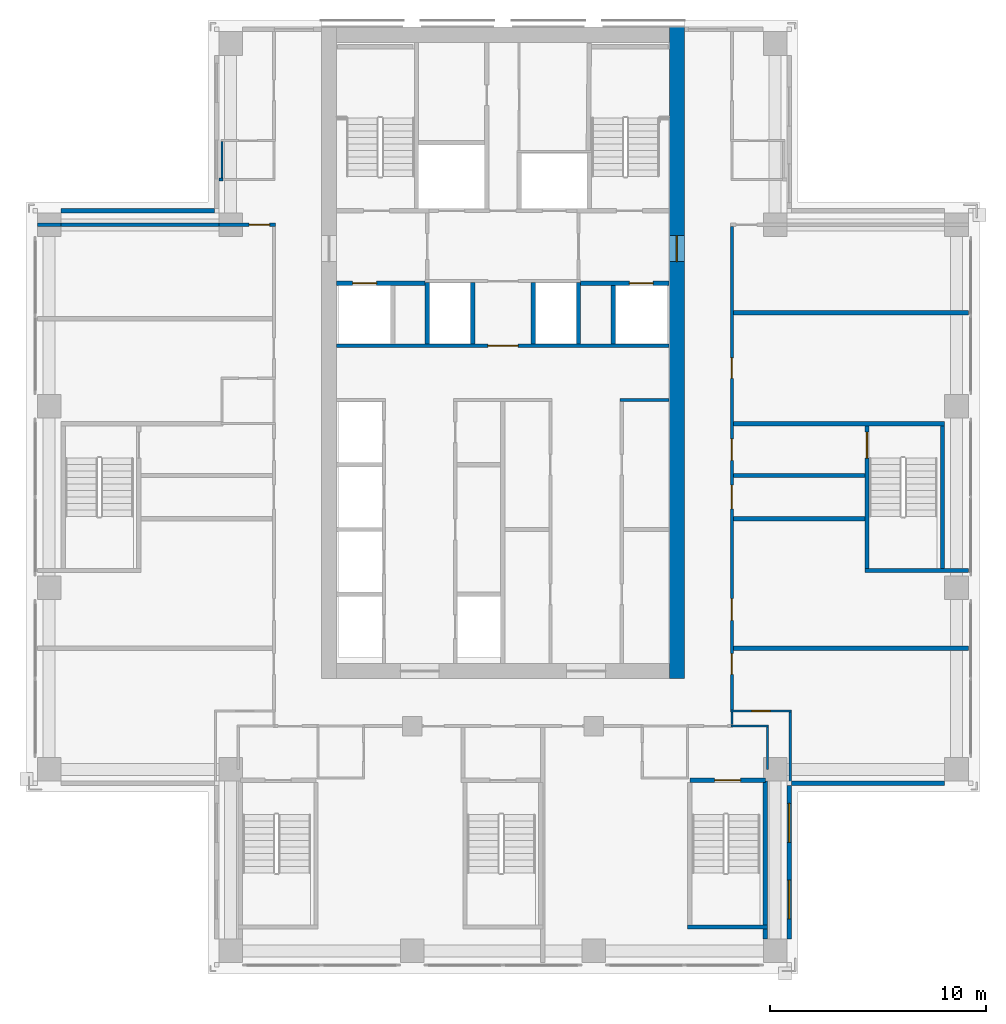
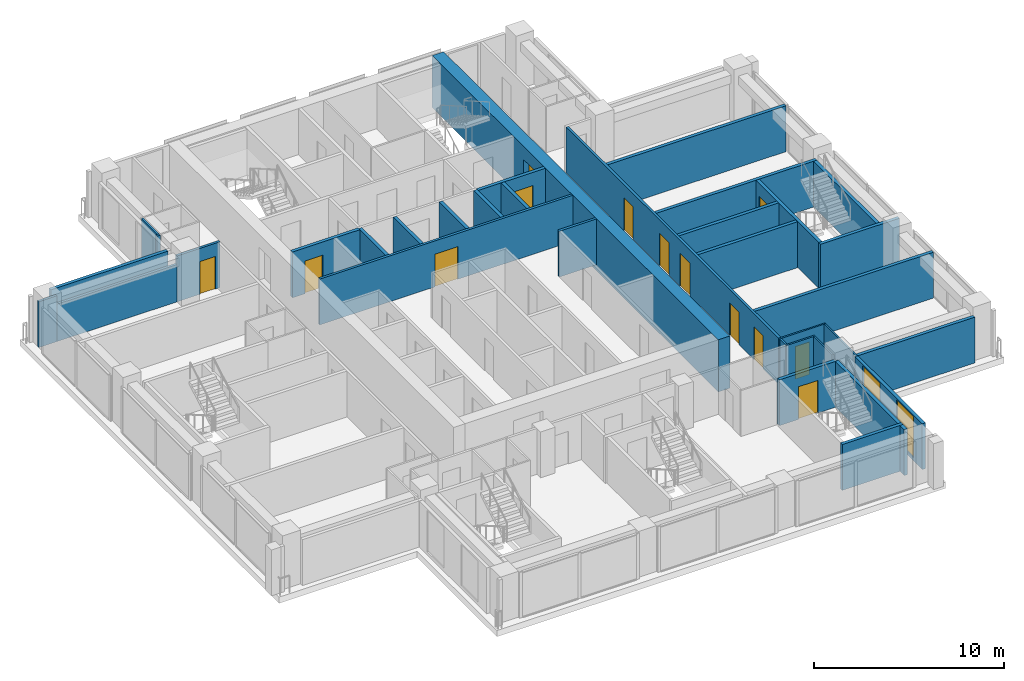
# One storey, part 11 of 16: 35 walls, 13 doors, 2 windows, 15 openings.
"""IFC4 building model written with IfcOpenShell, lengths in metres."""

from ifc_helpers import new_model, si_unit, direction, frame, frame_2d, origin, place, context, subcontext, project, spatial, rectangle, extrude, material, layer, layer_set, type_object, element, fill, save


model = new_model("IFC4")

# Units and contexts
model_context = context("Model", 3, precision=1e-05, world=origin(), true_north=direction((0.0, 1.0)))
body_context = subcontext(model_context, "Body", "Model", "MODEL_VIEW")
ifc_project = project(units=[si_unit("LENGTHUNIT", "METRE"), si_unit("AREAUNIT", "SQUARE_METRE"), si_unit("VOLUMEUNIT", "CUBIC_METRE"), si_unit("PLANEANGLEUNIT", "RADIAN"), si_unit("MASSUNIT", "GRAM", prefix="KILO")], contexts=[model_context])

# Site, building, storey
site_placement = place(None, origin())
site = spatial("IfcSite", under=ifc_project, at=site_placement, CompositionType="ELEMENT")
building_placement = place(site_placement, origin())
building = spatial("IfcBuilding", under=site, at=building_placement, Name="Vermilion Ogive Tower", CompositionType="ELEMENT")
storey_placement = place(building_placement, frame((0.0, 0.0, 167.60009765625)))
storey = spatial("IfcBuildingStorey", under=building, at=storey_placement, Name="L43", CompositionType="ELEMENT", Elevation=167.60009765625)

# Wall
ifc_material_1 = material(Name="Gypsum board partition on steel studs", Category="steel")
ifc_layer_1 = layer(ifc_material_1, 0.10009765625)
ifc_layer_set_1 = layer_set([ifc_layer_1], Name="Partition 100 bath")
wall_type_1 = type_object("IfcWallType", Name="Partition 100 bath", PredefinedType="PARTITIONING", material=ifc_layer_set_1)
wall_1_placement = place(storey_placement, frame((10.550048828125, -10.60009765625, 0.0), z_axis=(0.0, 0.0, 1.0), x_axis=(1.0, 0.0, 0.0)))
element("IfcWall", 1, at=wall_1_placement, inside=storey, type_object=wall_type_1, Name="L43-W-W013", PredefinedType="PARTITIONING", context=body_context, shape_type="SweptSolid", body=[
    extrude(rectangle(XDim=1.75, YDim=0.10009765625, at=frame_2d((0.875, 0.0))), origin(), (0.0, 0.0, 1.0), 2.949951171875),
])

# Wall, opening, door
wall_2_placement = place(storey_placement, frame((10.52490234375, -9.89990234375, 0.0), z_axis=(0.0, 0.0, 1.0), x_axis=(1.0, 0.0, 0.0)))
wall_2 = element("IfcWall", 2, at=wall_2_placement, inside=storey, type_object=wall_type_1, Name="L43-W-W015", PredefinedType="PARTITIONING", context=body_context, shape_type="SweptSolid", body=[
    extrude(rectangle(XDim=2.8251953125, YDim=0.10009765625, at=frame_2d((1.41259765625, 0.0))), origin(), (0.0, 0.0, 1.0), 2.949951171875),
])
opening_1_placement = place(wall_2_placement, frame((1.0, 0.0, 0.0)))
opening_1 = element("IfcOpeningElement", 3, at=opening_1_placement, cuts=wall_2, Name="Opening D3G5013", PredefinedType="OPENING", context=body_context, shape_type="SweptSolid", body=[
    extrude(rectangle(XDim=0.85009765625, YDim=2.10009765625, at=frame_2d((0.425048828125, 1.050048828125))), frame((0.0, 0.06005859375, 0.0), z_axis=(0.0, -1.0, 0.0), x_axis=(1.0, 0.0, 0.0)), (0.0, 0.0, 1.0), 0.1201171875),
])
ifc_material_2 = material(Name="Timber door leaf", Category="wood")
door_type_1 = type_object("IfcDoorType", Name="Bath door 850 x 2100 FD30", OperationType="SINGLE_SWING_LEFT", PredefinedType="DOOR", material=ifc_material_2)
door_1_placement = place(opening_1_placement, origin())
door_1 = element("IfcDoor", 4, at=door_1_placement, inside=storey, type_object=door_type_1, Name="L43-D-D013", OperationType="SINGLE_SWING_RIGHT", OverallHeight=2.10009765625, OverallWidth=0.85009765625, PredefinedType="DOOR", context=body_context, shape_type="SweptSolid", body=[
    extrude(rectangle(XDim=0.85009765625, YDim=2.10009765625, at=frame_2d((0.425048828125, 1.050048828125))), frame((0.0, 0.02490234375, 0.0), z_axis=(0.0, -1.0, 0.0), x_axis=(1.0, 0.0, 0.0)), (0.0, 0.0, 1.0), 0.050048828125),
])
fill(opening_1, door_1)

# Walls
wall_3_placement = place(storey_placement, frame((-13.0, 14.77490234375, 0.0), z_axis=(0.0, 0.0, 1.0), x_axis=(0.0, 1.0, 0.0)))
element("IfcWall", 5, at=wall_3_placement, inside=storey, type_object=wall_type_1, Name="L43-W-W042", PredefinedType="PARTITIONING", context=body_context, shape_type="SweptSolid", body=[
    extrude(rectangle(XDim=1.675048828125, YDim=0.10009765625, at=frame_2d((0.83740234375, 0.0))), origin(), (0.0, 0.0, 1.0), 2.949951171875),
])
wall_4_placement = place(storey_placement, frame((10.60009765625, -10.52490234375, 0.0), z_axis=(0.0, 0.0, 1.0), x_axis=(0.0, 1.0, 0.0)))
element("IfcWall", 6, at=wall_4_placement, inside=storey, type_object=wall_type_1, Name="L43-W-W058", PredefinedType="PARTITIONING", context=body_context, shape_type="SweptSolid", body=[
    extrude(rectangle(XDim=0.574951171875, YDim=0.10009765625, at=frame_2d((0.28759765625, 0.0))), origin(), (0.0, 0.0, 1.0), 2.949951171875),
])
wall_5_placement = place(storey_placement, frame((12.25, -12.60009765625, 0.0), z_axis=(0.0, 0.0, 1.0), x_axis=(0.0, 1.0, 0.0)))
element("IfcWall", 7, at=wall_5_placement, inside=storey, type_object=wall_type_1, Name="L43-W-W062", PredefinedType="PARTITIONING", context=body_context, shape_type="SweptSolid", body=[
    extrude(rectangle(XDim=1.9501953125, YDim=0.10009765625, at=frame_2d((0.97509765625, 0.0))), origin(), (0.0, 0.0, 1.0), 2.949951171875),
])
wall_6_placement = place(storey_placement, frame((13.300048828125, -13.35009765625, 0.0), z_axis=(0.0, 0.0, 1.0), x_axis=(0.0, 1.0, 0.0)))
element("IfcWall", 8, at=wall_6_placement, inside=storey, type_object=wall_type_1, Name="L43-W-W064", PredefinedType="PARTITIONING", context=body_context, shape_type="SweptSolid", body=[
    extrude(rectangle(XDim=3.400146484375, YDim=0.10009765625, at=frame_2d((1.7001953125, 0.0))), origin(), (0.0, 0.0, 1.0), 2.949951171875),
])
ifc_material_3 = material(Name="Gypsum board partition on steel studs", Category="steel")
ifc_layer_2 = layer(ifc_material_3, 0.14990234375)
ifc_layer_set_2 = layer_set([ifc_layer_2], Name="Partition 150 corridor")
wall_type_2 = type_object("IfcWallType", Name="Partition 150 corridor", PredefinedType="PARTITIONING", material=ifc_layer_set_2)
wall_7_placement = place(storey_placement, frame((-21.550048828125, 12.60009765625, 0.0), z_axis=(0.0, 0.0, 1.0), x_axis=(1.0, 0.0, 0.0)))
element("IfcWall", 9, at=wall_7_placement, inside=storey, type_object=wall_type_2, Name="L43-W-W030", PredefinedType="PARTITIONING", context=body_context, shape_type="SweptSolid", body=[
    extrude(rectangle(XDim=1.10009765625, YDim=0.14990234375, at=frame_2d((0.550048828125, 0.0))), origin(), (0.0, 0.0, 1.0), 2.949951171875),
])
wall_8_placement = place(storey_placement, frame((-13.14990234375, 14.699951171875, 0.0), z_axis=(0.0, 0.0, 1.0), x_axis=(1.0, 0.0, 0.0)))
element("IfcWall", 10, at=wall_8_placement, inside=storey, type_object=wall_type_2, Name="L43-W-W032", PredefinedType="PARTITIONING", context=body_context, shape_type="SweptSolid", body=[
    extrude(rectangle(XDim=0.199951171875, YDim=0.14990234375, at=frame_2d((0.10009765625, 0.0))), origin(), (0.0, 0.0, 1.0), 2.949951171875),
])

# Wall, openings, doors
wall_9_placement = place(storey_placement, frame((10.60009765625, -9.85009765625, 0.0), z_axis=(0.0, 0.0, 1.0), x_axis=(0.0, 1.0, 0.0)))
wall_9 = element("IfcWall", 11, at=wall_9_placement, inside=storey, type_object=wall_type_2, Name="L43-W-W059", PredefinedType="PARTITIONING", context=body_context, shape_type="SweptSolid", body=[
    extrude(rectangle(XDim=22.375, YDim=0.14990234375, at=frame_2d((11.1875, 0.0))), origin(), (0.0, 0.0, 1.0), 2.949951171875),
])
opening_2_placement = place(wall_9_placement, frame((1.650146484375, 0.0, 0.0)))
opening_2 = element("IfcOpeningElement", 12, at=opening_2_placement, cuts=wall_9, Name="Opening D3G5012", PredefinedType="OPENING", context=body_context, shape_type="SweptSolid", body=[
    extrude(rectangle(XDim=0.949951171875, YDim=2.10009765625, at=frame_2d((0.47509765625, 1.050048828125))), frame((0.0, 0.0849609375, 0.0), z_axis=(0.0, -1.0, 0.0), x_axis=(1.0, 0.0, 0.0)), (0.0, 0.0, 1.0), 0.169921875),
])
opening_3_placement = place(wall_9_placement, frame((15.340087890625, 0.0, 0.0)))
opening_3 = element("IfcOpeningElement", 13, at=opening_3_placement, cuts=wall_9, Name="Opening D3G5014", PredefinedType="OPENING", context=body_context, shape_type="SweptSolid", body=[
    extrude(rectangle(XDim=0.949951171875, YDim=2.10009765625, at=frame_2d((0.47509765625, 1.050048828125))), frame((0.0, 0.0849609375, 0.0), z_axis=(0.0, -1.0, 0.0), x_axis=(1.0, 0.0, 0.0)), (0.0, 0.0, 1.0), 0.169921875),
])
opening_4_placement = place(wall_9_placement, frame((9.300048828125, 0.0, 0.0)))
opening_4 = element("IfcOpeningElement", 14, at=opening_4_placement, cuts=wall_9, Name="Opening D3G5024", PredefinedType="OPENING", context=body_context, shape_type="SweptSolid", body=[
    extrude(rectangle(XDim=1.10009765625, YDim=2.10009765625, at=frame_2d((0.550048828125, 1.050048828125))), frame((0.0, 0.0849609375, 0.0), z_axis=(0.0, -1.0, 0.0), x_axis=(1.0, 0.0, 0.0)), (0.0, 0.0, 1.0), 0.169921875),
])
opening_5_placement = place(wall_9_placement, frame((4.150146484375, 0.0, 0.0)))
opening_5 = element("IfcOpeningElement", 15, at=opening_5_placement, cuts=wall_9, Name="Opening D3G5029", PredefinedType="OPENING", context=body_context, shape_type="SweptSolid", body=[
    extrude(rectangle(XDim=1.0, YDim=2.10009765625, at=frame_2d((0.5, 1.050048828125))), frame((0.0, 0.0849609375, 0.0), z_axis=(0.0, -1.0, 0.0), x_axis=(1.0, 0.0, 0.0)), (0.0, 0.0, 1.0), 0.169921875),
])
opening_6_placement = place(wall_9_placement, frame((11.550048828125, 0.0, 0.0)))
opening_6 = element("IfcOpeningElement", 16, at=opening_6_placement, cuts=wall_9, Name="Opening D3G5031", PredefinedType="OPENING", context=body_context, shape_type="SweptSolid", body=[
    extrude(rectangle(XDim=1.0, YDim=2.10009765625, at=frame_2d((0.5, 1.050048828125))), frame((0.0, 0.0849609375, 0.0), z_axis=(0.0, -1.0, 0.0), x_axis=(1.0, 0.0, 0.0)), (0.0, 0.0, 1.0), 0.169921875),
])
ifc_material_4 = material(Name="Timber door leaf", Category="wood")
door_type_2 = type_object("IfcDoorType", Name="Stair door 1100 x 2100 FD60S", OperationType="SINGLE_SWING_LEFT", PredefinedType="DOOR", material=ifc_material_4)
door_2_placement = place(opening_4_placement, origin())
door_2 = element("IfcDoor", 17, at=door_2_placement, inside=storey, type_object=door_type_2, Name="L43-D-D024", OperationType="SINGLE_SWING_LEFT", OverallHeight=2.10009765625, OverallWidth=1.10009765625, PredefinedType="DOOR", context=body_context, shape_type="SweptSolid", body=[
    extrude(rectangle(XDim=1.10009765625, YDim=2.10009765625, at=frame_2d((0.550048828125, 1.050048828125))), frame((0.0, 0.02490234375, 0.0), z_axis=(0.0, -1.0, 0.0), x_axis=(1.0, 0.0, 0.0)), (0.0, 0.0, 1.0), 0.050048828125),
])
fill(opening_4, door_2)
ifc_material_5 = material(Name="Timber door leaf", Category="wood")
door_type_3 = type_object("IfcDoorType", Name="Unit door 1000 x 2100 FD30S", OperationType="SINGLE_SWING_LEFT", PredefinedType="DOOR", material=ifc_material_5)
door_3_placement = place(opening_5_placement, origin())
door_3 = element("IfcDoor", 18, at=door_3_placement, inside=storey, type_object=door_type_3, Name="L43-D-D029", OperationType="SINGLE_SWING_RIGHT", OverallHeight=2.10009765625, OverallWidth=1.0, PredefinedType="DOOR", context=body_context, shape_type="SweptSolid", body=[
    extrude(rectangle(XDim=1.0, YDim=2.10009765625, at=frame_2d((0.5, 1.050048828125))), frame((0.0, 0.02490234375, 0.0), z_axis=(0.0, -1.0, 0.0), x_axis=(1.0, 0.0, 0.0)), (0.0, 0.0, 1.0), 0.050048828125),
])
fill(opening_5, door_3)
door_4_placement = place(opening_6_placement, origin())
door_4 = element("IfcDoor", 19, at=door_4_placement, inside=storey, type_object=door_type_3, Name="L43-D-D031", OperationType="SINGLE_SWING_LEFT", OverallHeight=2.10009765625, OverallWidth=1.0, PredefinedType="DOOR", context=body_context, shape_type="SweptSolid", body=[
    extrude(rectangle(XDim=1.0, YDim=2.10009765625, at=frame_2d((0.5, 1.050048828125))), frame((0.0, 0.02490234375, 0.0), z_axis=(0.0, -1.0, 0.0), x_axis=(1.0, 0.0, 0.0)), (0.0, 0.0, 1.0), 0.050048828125),
])
fill(opening_6, door_4)
ifc_material_6 = material(Name="Timber door leaf", Category="wood")
door_type_4 = type_object("IfcDoorType", Name="Unit door 950 x 2100 FD30S", OperationType="SINGLE_SWING_LEFT", PredefinedType="DOOR", material=ifc_material_6)
door_5_placement = place(opening_2_placement, origin())
door_5 = element("IfcDoor", 20, at=door_5_placement, inside=storey, type_object=door_type_4, Name="L43-D-D012", OperationType="SINGLE_SWING_LEFT", OverallHeight=2.10009765625, OverallWidth=0.949951171875, PredefinedType="DOOR", context=body_context, shape_type="SweptSolid", body=[
    extrude(rectangle(XDim=0.949951171875, YDim=2.10009765625, at=frame_2d((0.47509765625, 1.050048828125))), frame((0.0, 0.02490234375, 0.0), z_axis=(0.0, -1.0, 0.0), x_axis=(1.0, 0.0, 0.0)), (0.0, 0.0, 1.0), 0.050048828125),
])
fill(opening_2, door_5)
door_6_placement = place(opening_3_placement, origin())
door_6 = element("IfcDoor", 21, at=door_6_placement, inside=storey, type_object=door_type_4, Name="L43-D-D014", OperationType="SINGLE_SWING_LEFT", OverallHeight=2.10009765625, OverallWidth=0.949951171875, PredefinedType="DOOR", context=body_context, shape_type="SweptSolid", body=[
    extrude(rectangle(XDim=0.949951171875, YDim=2.10009765625, at=frame_2d((0.47509765625, 1.050048828125))), frame((0.0, 0.02490234375, 0.0), z_axis=(0.0, -1.0, 0.0), x_axis=(1.0, 0.0, 0.0)), (0.0, 0.0, 1.0), 0.050048828125),
])
fill(opening_3, door_6)

# Wall
wall_10_placement = place(storey_placement, frame((5.425048828125, 4.5, 0.0), z_axis=(0.0, 0.0, 1.0), x_axis=(1.0, 0.0, 0.0)))
element("IfcWall", 22, at=wall_10_placement, inside=storey, type_object=wall_type_2, Name="L43-CK-W-W010", PredefinedType="PARTITIONING", context=body_context, shape_type="SweptSolid", body=[
    extrude(rectangle(XDim=2.27392578125, YDim=0.14990234375, at=frame_2d((1.136962890625, 0.0))), origin(), (0.0, 0.0, 1.0), 2.949951171875),
])

# Wall, opening, door
wall_11_placement = place(storey_placement, frame((-7.698974609375, 7.0, 0.0), z_axis=(0.0, 0.0, 1.0), x_axis=(1.0, 0.0, 0.0)))
wall_11 = element("IfcWall", 23, at=wall_11_placement, inside=storey, type_object=wall_type_2, Name="L43-CK-W-W011", PredefinedType="PARTITIONING", context=body_context, shape_type="SweptSolid", body=[
    extrude(rectangle(XDim=15.39794921875, YDim=0.14990234375, at=frame_2d((7.698974609375, 0.0))), origin(), (0.0, 0.0, 1.0), 2.949951171875),
])
opening_7_placement = place(wall_11_placement, frame((6.9990234375, 0.0, 0.0)))
opening_7 = element("IfcOpeningElement", 24, at=opening_7_placement, cuts=wall_11, Name="Opening DAA373", PredefinedType="OPENING", context=body_context, shape_type="SweptSolid", body=[
    extrude(rectangle(XDim=1.39990234375, YDim=2.10009765625, at=frame_2d((0.699951171875, 1.050048828125))), frame((0.0, 0.0849609375, 0.0), z_axis=(0.0, -1.0, 0.0), x_axis=(1.0, 0.0, 0.0)), (0.0, 0.0, 1.0), 0.169921875),
])
ifc_material_7 = material(Name="Timber door leaf", Category="wood")
door_type_5 = type_object("IfcDoorType", Name="Lobby door 1400 x 2100 FD60S", OperationType="SINGLE_SWING_LEFT", PredefinedType="DOOR", material=ifc_material_7)
door_7_placement = place(opening_7_placement, origin())
door_7 = element("IfcDoor", 25, at=door_7_placement, inside=storey, type_object=door_type_5, Name="L43-CK-D-D016", OperationType="SINGLE_SWING_RIGHT", OverallHeight=2.10009765625, OverallWidth=1.39990234375, PredefinedType="DOOR", context=body_context, shape_type="SweptSolid", body=[
    extrude(rectangle(XDim=1.39990234375, YDim=2.10009765625, at=frame_2d((0.699951171875, 1.050048828125))), frame((0.0, 0.02490234375, 0.0), z_axis=(0.0, -1.0, 0.0), x_axis=(1.0, 0.0, 0.0)), (0.0, 0.0, 1.0), 0.050048828125),
])
fill(opening_7, door_7)

# Wall
wall_12_placement = place(storey_placement, frame((-20.449951171875, 12.60009765625, 0.0), z_axis=(0.0, 0.0, 1.0), x_axis=(1.0, 0.0, 0.0)))
element("IfcWall", 26, at=wall_12_placement, inside=storey, type_object=wall_type_2, Name="L43-W-W030-h1", PredefinedType="PARTITIONING", context=body_context, shape_type="SweptSolid", body=[
    extrude(rectangle(XDim=7.300048828125, YDim=0.14990234375, at=frame_2d((3.64990234375, 0.0))), origin(), (0.0, 0.0, 1.0), 2.39990234375),
])

# Wall, opening, door
wall_13_placement = place(storey_placement, frame((-13.14990234375, 12.60009765625, 0.0), z_axis=(0.0, 0.0, 1.0), x_axis=(1.0, 0.0, 0.0)))
wall_13 = element("IfcWall", 27, at=wall_13_placement, inside=storey, type_object=wall_type_2, Name="L43-W-W030-h2", PredefinedType="PARTITIONING", context=body_context, shape_type="SweptSolid", body=[
    extrude(rectangle(XDim=2.625, YDim=0.14990234375, at=frame_2d((1.3125, 0.0))), origin(), (0.0, 0.0, 1.0), 2.949951171875),
])
opening_8_placement = place(wall_13_placement, frame((1.39990234375, 0.0, 0.0)))
opening_8 = element("IfcOpeningElement", 28, at=opening_8_placement, cuts=wall_13, Name="Opening D3G5005", PredefinedType="OPENING", context=body_context, shape_type="SweptSolid", body=[
    extrude(rectangle(XDim=0.949951171875, YDim=2.10009765625, at=frame_2d((0.47509765625, 1.050048828125))), frame((0.0, 0.0849609375, 0.0), z_axis=(0.0, -1.0, 0.0), x_axis=(1.0, 0.0, 0.0)), (0.0, 0.0, 1.0), 0.169921875),
])
door_8_placement = place(opening_8_placement, origin())
door_8 = element("IfcDoor", 29, at=door_8_placement, inside=storey, type_object=door_type_4, Name="L43-D-D005", OperationType="SINGLE_SWING_RIGHT", OverallHeight=2.10009765625, OverallWidth=0.949951171875, PredefinedType="DOOR", context=body_context, shape_type="SweptSolid", body=[
    extrude(rectangle(XDim=0.949951171875, YDim=2.10009765625, at=frame_2d((0.47509765625, 1.050048828125))), frame((0.0, 0.02490234375, 0.0), z_axis=(0.0, -1.0, 0.0), x_axis=(1.0, 0.0, 0.0)), (0.0, 0.0, 1.0), 0.050048828125),
])
fill(opening_8, door_8)

# Walls
ifc_material_8 = material(Name="Gypsum board partition on steel studs", Category="steel")
ifc_layer_3 = layer(ifc_material_8, 0.199951171875)
ifc_layer_set_3 = layer_set([ifc_layer_3], Name="Partition 200 party")
wall_type_3 = type_object("IfcWallType", Name="Partition 200 party", PredefinedType="PARTITIONING", material=ifc_layer_set_3)
wall_14_placement = place(storey_placement, frame((10.675048828125, -7.0, 0.0), z_axis=(0.0, 0.0, 1.0), x_axis=(1.0, 0.0, 0.0)))
element("IfcWall", 30, at=wall_14_placement, inside=storey, type_object=wall_type_3, Name="L43-W-W017", PredefinedType="PARTITIONING", context=body_context, shape_type="SweptSolid", body=[
    extrude(rectangle(XDim=10.875, YDim=0.199951171875, at=frame_2d((5.4375, 0.0))), origin(), (0.0, 0.0, 1.0), 2.949951171875),
])
wall_15_placement = place(storey_placement, frame((10.677001953125, -1.0, 0.0), z_axis=(0.0, 0.0, 1.0), x_axis=(1.0, 0.0, 0.0)))
element("IfcWall", 31, at=wall_15_placement, inside=storey, type_object=wall_type_3, Name="L43-W-W021", PredefinedType="PARTITIONING", context=body_context, shape_type="SweptSolid", body=[
    extrude(rectangle(XDim=6.071044921875, YDim=0.199951171875, at=frame_2d((3.03564453125, 0.0))), origin(), (0.0, 0.0, 1.0), 2.949951171875),
])
wall_16_placement = place(storey_placement, frame((10.675048828125, 1.0, 0.0), z_axis=(0.0, 0.0, 1.0), x_axis=(1.0, 0.0, 0.0)))
element("IfcWall", 32, at=wall_16_placement, inside=storey, type_object=wall_type_3, Name="L43-W-W023", PredefinedType="PARTITIONING", context=body_context, shape_type="SweptSolid", body=[
    extrude(rectangle(XDim=6.074951171875, YDim=0.199951171875, at=frame_2d((3.03759765625, 0.0))), origin(), (0.0, 0.0, 1.0), 2.949951171875),
])
wall_17_placement = place(storey_placement, frame((10.675048828125, 8.530029296875, 0.0), z_axis=(0.0, 0.0, 1.0), x_axis=(1.0, 0.0, 0.0)))
element("IfcWall", 33, at=wall_17_placement, inside=storey, type_object=wall_type_3, Name="L43-W-W029", PredefinedType="PARTITIONING", context=body_context, shape_type="SweptSolid", body=[
    extrude(rectangle(XDim=10.875, YDim=0.199951171875, at=frame_2d((5.4375, 0.0))), origin(), (0.0, 0.0, 1.0), 2.949951171875),
])

# Wall, opening, door
wall_18_placement = place(storey_placement, frame((-7.698974609375, 9.89990234375, 0.0), z_axis=(0.0, 0.0, 1.0), x_axis=(1.0, 0.0, 0.0)))
wall_18 = element("IfcWall", 34, at=wall_18_placement, inside=storey, type_object=wall_type_3, Name="L43-CK-W-W012", PredefinedType="PARTITIONING", context=body_context, shape_type="SweptSolid", body=[
    extrude(rectangle(XDim=4.098876953125, YDim=0.199951171875, at=frame_2d((2.04931640625, 0.0))), origin(), (0.0, 0.0, 1.0), 2.949951171875),
])
opening_9_placement = place(wall_18_placement, frame((0.7490234375, 0.0, 0.0)))
opening_9 = element("IfcOpeningElement", 35, at=opening_9_placement, cuts=wall_18, Name="Opening DAA391", PredefinedType="OPENING", context=body_context, shape_type="SweptSolid", body=[
    extrude(rectangle(XDim=1.10009765625, YDim=2.10009765625, at=frame_2d((0.550048828125, 1.050048828125))), frame((0.0, 0.10986328125, 0.0), z_axis=(0.0, -1.0, 0.0), x_axis=(1.0, 0.0, 0.0)), (0.0, 0.0, 1.0), 0.219970703125),
])
ifc_material_9 = material(Name="Stainless steel", Category="steel")
door_type_6 = type_object("IfcDoorType", Name="Lift landing door 1100 x 2100", OperationType="SLIDING_TO_LEFT", PredefinedType="DOOR", material=ifc_material_9)
door_9_placement = place(opening_9_placement, origin())
door_9 = element("IfcDoor", 36, at=door_9_placement, inside=storey, type_object=door_type_6, Name="L43-CK-D-D013", OperationType="SLIDING_TO_RIGHT", OverallHeight=2.10009765625, OverallWidth=1.10009765625, PredefinedType="DOOR", context=body_context, shape_type="SweptSolid", body=[
    extrude(rectangle(XDim=1.10009765625, YDim=2.10009765625, at=frame_2d((0.550048828125, 1.050048828125))), frame((0.0, 0.02490234375, 0.0), z_axis=(0.0, -1.0, 0.0), x_axis=(1.0, 0.0, 0.0)), (0.0, 0.0, 1.0), 0.050048828125),
])
fill(opening_9, door_9)

wall_19_placement = place(storey_placement, frame((3.60009765625, 9.89990234375, 0.0), z_axis=(0.0, 0.0, 1.0), x_axis=(1.0, 0.0, 0.0)))
wall_19 = element("IfcWall", 37, at=wall_19_placement, inside=storey, type_object=wall_type_3, Name="L43-CK-W-W013", PredefinedType="PARTITIONING", context=body_context, shape_type="SweptSolid", body=[
    extrude(rectangle(XDim=4.098876953125, YDim=0.199951171875, at=frame_2d((2.04931640625, 0.0))), origin(), (0.0, 0.0, 1.0), 2.949951171875),
])
opening_10_placement = place(wall_19_placement, frame((2.25, 0.0, 0.0)))
opening_10 = element("IfcOpeningElement", 38, at=opening_10_placement, cuts=wall_19, Name="Opening DAA392", PredefinedType="OPENING", context=body_context, shape_type="SweptSolid", body=[
    extrude(rectangle(XDim=1.10009765625, YDim=2.10009765625, at=frame_2d((0.550048828125, 1.050048828125))), frame((0.0, 0.10986328125, 0.0), z_axis=(0.0, -1.0, 0.0), x_axis=(1.0, 0.0, 0.0)), (0.0, 0.0, 1.0), 0.219970703125),
])
door_10_placement = place(opening_10_placement, origin())
door_10 = element("IfcDoor", 39, at=door_10_placement, inside=storey, type_object=door_type_6, Name="L43-CK-D-D015", OperationType="SLIDING_TO_LEFT", OverallHeight=2.10009765625, OverallWidth=1.10009765625, PredefinedType="DOOR", context=body_context, shape_type="SweptSolid", body=[
    extrude(rectangle(XDim=1.10009765625, YDim=2.10009765625, at=frame_2d((0.550048828125, 1.050048828125))), frame((0.0, 0.02490234375, 0.0), z_axis=(0.0, -1.0, 0.0), x_axis=(1.0, 0.0, 0.0)), (0.0, 0.0, 1.0), 0.050048828125),
])
fill(opening_10, door_10)

# Walls
for number, where, z_axis, x_axis, name in (
    (40, (-3.5, 7.074951171875, 0.0), (0.0, 0.0, 1.0), (0.0, 1.0, 0.0), "L43-CK-W-W023"),
    (41, (-1.39990234375, 7.074951171875, 0.0), (0.0, 0.0, 1.0), (0.0, 1.0, 0.0), "L43-CK-W-W026"),
    (42, (1.39990234375, 7.074951171875, 0.0), (0.0, 0.0, 1.0), (0.0, 1.0, 0.0), "L43-CK-W-W031"),
    (43, (3.5, 7.074951171875, 0.0), (0.0, 0.0, 1.0), (0.0, 1.0, 0.0), "L43-CK-W-W033"),
):
    element("IfcWall", number, at=place(storey_placement, frame(where, z_axis=z_axis, x_axis=x_axis)), inside=storey, type_object=wall_type_3, Name=name, PredefinedType="PARTITIONING", context=body_context, shape_type="SweptSolid", body=[
        extrude(rectangle(XDim=2.85009765625, YDim=0.199951171875, at=frame_2d((1.425048828125, 0.0))), origin(), (0.0, 0.0, 1.0), 2.949951171875),
    ])
wall_20_placement = place(storey_placement, frame((5.10009765625, 7.074951171875, 0.0), z_axis=(0.0, 0.0, 1.0), x_axis=(0.0, 1.0, 0.0)))
element("IfcWall", 44, at=wall_20_placement, inside=storey, type_object=wall_type_3, Name="L43-CK-W-W037", PredefinedType="PARTITIONING", context=body_context, shape_type="SweptSolid", body=[
    extrude(rectangle(XDim=2.72509765625, YDim=0.199951171875, at=frame_2d((1.362548828125, 0.0))), origin(), (0.0, 0.0, 1.0), 2.949951171875),
])

# Wall, opening, door
ifc_material_10 = material(Name="Concrete B60", Category="concrete")
ifc_layer_4 = layer(ifc_material_10, 0.199951171875)
ifc_layer_set_4 = layer_set([ifc_layer_4], Name="Stair shaft wall 200 Concrete B60")
wall_type_4 = type_object("IfcWallType", Name="Stair shaft wall 200 Concrete B60", PredefinedType="SOLIDWALL", material=ifc_layer_set_4)
wall_21_placement = place(storey_placement, frame((8.050048828125, -8.39990234375, -0.400146484375), z_axis=(0.0, 0.0, 1.0), x_axis=(0.0, 1.0, 0.0)))
wall_21 = element("IfcWall", 45, at=wall_21_placement, inside=storey, type_object=wall_type_4, Name="L43-CORE-E", PredefinedType="SOLIDWALL", context=body_context, shape_type="SweptSolid", body=[
    extrude(rectangle(XDim=30.14990234375, YDim=0.699951171875, at=frame_2d((15.074951171875, 0.0))), origin(), (0.0, 0.0, 1.0), 3.35009765625),
])
opening_11_placement = place(wall_21_placement, frame((19.300048828125, 0.0, 0.39990234375)))
opening_11 = element("IfcOpeningElement", 46, at=opening_11_placement, cuts=wall_21, Name="Opening DAL017", PredefinedType="OPENING", context=body_context, shape_type="SweptSolid", body=[
    extrude(rectangle(XDim=1.199951171875, YDim=2.10009765625, at=frame_2d((0.60009765625, 1.050048828125))), frame((0.0, 0.35986328125, 0.0), z_axis=(0.0, -1.0, 0.0), x_axis=(1.0, 0.0, 0.0)), (0.0, 0.0, 1.0), 0.719970703125),
])
ifc_material_11 = material(Name="Timber door leaf", Category="wood")
door_type_7 = type_object("IfcDoorType", Name="Link door 1200 x 2100 FD60S", OperationType="SINGLE_SWING_LEFT", PredefinedType="DOOR", material=ifc_material_11)
door_11_placement = place(opening_11_placement, origin())
door_11 = element("IfcDoor", 47, at=door_11_placement, inside=storey, type_object=door_type_7, Name="L43-CK-XD4", OperationType="SINGLE_SWING_LEFT", OverallHeight=2.10009765625, OverallWidth=1.199951171875, PredefinedType="DOOR", context=body_context, shape_type="SweptSolid", body=[
    extrude(rectangle(XDim=1.199951171875, YDim=2.10009765625, at=frame_2d((0.60009765625, 1.050048828125))), frame((0.0, 0.02490234375, 0.0), z_axis=(0.0, -1.0, 0.0), x_axis=(1.0, 0.0, 0.0)), (0.0, 0.0, 1.0), 0.050048828125),
])
fill(opening_11, door_11)

wall_22_placement = place(storey_placement, frame((8.64990234375, -13.10009765625, 0.0), z_axis=(0.0, 0.0, 1.0), x_axis=(1.0, 0.0, 0.0)))
wall_22 = element("IfcWall", 48, at=wall_22_placement, inside=storey, type_object=wall_type_4, Name="L43-W-W004", PredefinedType="SOLIDWALL", context=body_context, shape_type="SweptSolid", body=[
    extrude(rectangle(XDim=3.5, YDim=0.199951171875, at=frame_2d((1.75, 0.0))), origin(), (0.0, 0.0, 1.0), 2.949951171875),
])
opening_12_placement = place(wall_22_placement, frame((1.150146484375, 0.0, 0.0)))
opening_12 = element("IfcOpeningElement", 49, at=opening_12_placement, cuts=wall_22, Name="Opening D3G5023", PredefinedType="OPENING", context=body_context, shape_type="SweptSolid", body=[
    extrude(rectangle(XDim=1.199951171875, YDim=2.10009765625, at=frame_2d((0.60009765625, 1.050048828125))), frame((0.0, 0.10986328125, 0.0), z_axis=(0.0, -1.0, 0.0), x_axis=(1.0, 0.0, 0.0)), (0.0, 0.0, 1.0), 0.219970703125),
])
ifc_material_12 = material(Name="Timber door leaf", Category="wood")
door_type_8 = type_object("IfcDoorType", Name="Stair door 1200 x 2100 FD60S", OperationType="SINGLE_SWING_LEFT", PredefinedType="DOOR", material=ifc_material_12)
door_12_placement = place(opening_12_placement, origin())
door_12 = element("IfcDoor", 50, at=door_12_placement, inside=storey, type_object=door_type_8, Name="L43-D-D023", OperationType="SINGLE_SWING_RIGHT", OverallHeight=2.10009765625, OverallWidth=1.199951171875, PredefinedType="DOOR", context=body_context, shape_type="SweptSolid", body=[
    extrude(rectangle(XDim=1.199951171875, YDim=2.10009765625, at=frame_2d((0.60009765625, 1.050048828125))), frame((0.0, 0.02490234375, 0.0), z_axis=(0.0, -1.0, 0.0), x_axis=(1.0, 0.0, 0.0)), (0.0, 0.0, 1.0), 0.050048828125),
])
fill(opening_12, door_12)

# Wall
wall_23_placement = place(storey_placement, frame((16.751953125, -3.39990234375, 0.0), z_axis=(0.0, 0.0, 1.0), x_axis=(1.0, 0.0, 0.0)))
element("IfcWall", 51, at=wall_23_placement, inside=storey, type_object=wall_type_4, Name="L43-W-W019", PredefinedType="SOLIDWALL", context=body_context, shape_type="SweptSolid", body=[
    extrude(rectangle(XDim=4.798095703125, YDim=0.199951171875, at=frame_2d((2.39892578125, 0.0))), origin(), (0.0, 0.0, 1.0), 2.949951171875),
])

# Wall, opening, door
wall_24_placement = place(storey_placement, frame((16.85009765625, -3.298095703125, 0.0), z_axis=(0.0, 0.0, 1.0), x_axis=(0.0, 1.0, 0.0)))
wall_24 = element("IfcWall", 52, at=wall_24_placement, inside=storey, type_object=wall_type_4, Name="L43-W-W065", PredefinedType="SOLIDWALL", context=body_context, shape_type="SweptSolid", body=[
    extrude(rectangle(XDim=6.59814453125, YDim=0.199951171875, at=frame_2d((3.299072265625, 0.0))), origin(), (0.0, 0.0, 1.0), 2.949951171875),
])
opening_13_placement = place(wall_24_placement, frame((5.10009765625, 0.0, 0.0)))
opening_13 = element("IfcOpeningElement", 53, at=opening_13_placement, cuts=wall_24, Name="Opening D3G5025", PredefinedType="OPENING", context=body_context, shape_type="SweptSolid", body=[
    extrude(rectangle(XDim=1.199951171875, YDim=2.10009765625, at=frame_2d((0.60009765625, 1.050048828125))), frame((0.0, 0.10986328125, 0.0), z_axis=(0.0, -1.0, 0.0), x_axis=(1.0, 0.0, 0.0)), (0.0, 0.0, 1.0), 0.219970703125),
])
door_13_placement = place(opening_13_placement, origin())
door_13 = element("IfcDoor", 54, at=door_13_placement, inside=storey, type_object=door_type_8, Name="L43-D-D025", OperationType="SINGLE_SWING_LEFT", OverallHeight=2.10009765625, OverallWidth=1.199951171875, PredefinedType="DOOR", context=body_context, shape_type="SweptSolid", body=[
    extrude(rectangle(XDim=1.199951171875, YDim=2.10009765625, at=frame_2d((0.60009765625, 1.050048828125))), frame((0.0, 0.02490234375, 0.0), z_axis=(0.0, -1.0, 0.0), x_axis=(1.0, 0.0, 0.0)), (0.0, 0.0, 1.0), 0.050048828125),
])
fill(opening_13, door_13)

# Walls
wall_25_placement = place(storey_placement, frame((20.35009765625, -3.298095703125, 0.0), z_axis=(0.0, 0.0, 1.0), x_axis=(0.0, 1.0, 0.0)))
element("IfcWall", 55, at=wall_25_placement, inside=storey, type_object=wall_type_4, Name="L43-W-W066", PredefinedType="SOLIDWALL", context=body_context, shape_type="SweptSolid", body=[
    extrude(rectangle(XDim=6.59619140625, YDim=0.199951171875, at=frame_2d((3.298095703125, 0.0))), origin(), (0.0, 0.0, 1.0), 2.949951171875),
])
wall_26_placement = place(storey_placement, frame((8.550048828125, -19.89990234375, 0.0), z_axis=(0.0, 0.0, 1.0), x_axis=(1.0, 0.0, 0.0)))
element("IfcWall", 56, at=wall_26_placement, inside=storey, type_object=wall_type_4, Name="L43-SW-ST5-S1", PredefinedType="SOLIDWALL", context=body_context, shape_type="SweptSolid", body=[
    extrude(rectangle(XDim=3.699951171875, YDim=0.199951171875, at=frame_2d((1.85009765625, 0.0))), origin(), (0.0, 0.0, 1.0), 2.949951171875),
])
wall_27_placement = place(storey_placement, frame((12.14990234375, -20.449951171875, 0.0), z_axis=(0.0, 0.0, 1.0), x_axis=(0.0, 1.0, 0.0)))
element("IfcWall", 57, at=wall_27_placement, inside=storey, type_object=wall_type_4, Name="L43-SW-ST5-E1-A", PredefinedType="SOLIDWALL", context=body_context, shape_type="SweptSolid", body=[
    extrude(rectangle(XDim=7.300048828125, YDim=0.199951171875, at=frame_2d((3.64990234375, 0.0))), origin(), (0.0, 0.0, 1.0), 2.949951171875),
])
wall_28_placement = place(storey_placement, frame((10.675048828125, 3.39990234375, 0.0), z_axis=(0.0, 0.0, 1.0), x_axis=(1.0, 0.0, 0.0)))
element("IfcWall", 58, at=wall_28_placement, inside=storey, type_object=wall_type_4, Name="L43-W-W026-A", PredefinedType="SOLIDWALL", context=body_context, shape_type="SweptSolid", body=[
    extrude(rectangle(XDim=9.77294921875, YDim=0.199951171875, at=frame_2d((4.886474609375, 0.0))), origin(), (0.0, 0.0, 1.0), 2.949951171875),
])

# Wall, openings, windows
ifc_material_13 = material(Name="Aluminium window wall framing", Category="aluminium")
ifc_layer_5 = layer(ifc_material_13, 0.199951171875)
ifc_layer_set_5 = layer_set([ifc_layer_5], Name="Window wall")
wall_type_5 = type_object("IfcWallType", Name="Window wall", PredefinedType="STANDARD", material=ifc_layer_set_5)
wall_29_placement = place(storey_placement, frame((13.25, -20.449951171875, 0.0), z_axis=(0.0, 0.0, 1.0), x_axis=(0.0, 1.0, 0.0)))
wall_29 = element("IfcWall", 59, at=wall_29_placement, inside=storey, type_object=wall_type_5, Name="Window wall X11", PredefinedType="STANDARD", context=body_context, shape_type="SweptSolid", body=[
    extrude(rectangle(XDim=7.099853515625, YDim=0.199951171875, at=frame_2d((3.5498046875, 0.0))), origin(), (0.0, 0.0, 1.0), 2.949951171875),
])
opening_14_placement = place(wall_29_placement, frame((0.925048828125, 0.0, 0.199951171875)))
opening_14 = element("IfcOpeningElement", 60, at=opening_14_placement, cuts=wall_29, Name="Opening W1-X195", PredefinedType="OPENING", context=body_context, shape_type="SweptSolid", body=[
    extrude(rectangle(XDim=1.800048828125, YDim=2.64990234375, at=frame_2d((0.89990234375, 1.324951171875))), frame((0.0, 0.10986328125, 0.0), z_axis=(0.0, -1.0, 0.0), x_axis=(1.0, 0.0, 0.0)), (0.0, 0.0, 1.0), 0.219970703125),
])
opening_15_placement = place(wall_29_placement, frame((4.47509765625, 0.0, 0.199951171875)))
opening_15 = element("IfcOpeningElement", 61, at=opening_15_placement, cuts=wall_29, Name="Opening W1-X196", PredefinedType="OPENING", context=body_context, shape_type="SweptSolid", body=[
    extrude(rectangle(XDim=1.800048828125, YDim=2.64990234375, at=frame_2d((0.89990234375, 1.324951171875))), frame((0.0, 0.10986328125, 0.0), z_axis=(0.0, -1.0, 0.0), x_axis=(1.0, 0.0, 0.0)), (0.0, 0.0, 1.0), 0.219970703125),
])
ifc_material_14 = material(Name="Aluminium framed double glazing", Category="aluminium")
window_type = type_object("IfcWindowType", Name="Guest window W1", PartitioningType="SINGLE_PANEL", PredefinedType="WINDOW", material=ifc_material_14)
window_1_placement = place(opening_14_placement, origin())
window_1 = element("IfcWindow", 62, at=window_1_placement, inside=storey, type_object=window_type, Name="Window X195", OverallHeight=2.64990234375, OverallWidth=1.800048828125, PartitioningType="SINGLE_PANEL", PredefinedType="WINDOW", context=body_context, shape_type="SweptSolid", body=[
    extrude(rectangle(XDim=1.800048828125, YDim=2.64990234375, at=frame_2d((0.89990234375, 1.324951171875))), frame((0.0, 0.030029296875, 0.0), z_axis=(0.0, -1.0, 0.0), x_axis=(1.0, 0.0, 0.0)), (0.0, 0.0, 1.0), 0.06005859375),
])
fill(opening_14, window_1)
window_2_placement = place(opening_15_placement, origin())
window_2 = element("IfcWindow", 63, at=window_2_placement, inside=storey, type_object=window_type, Name="Window X196", OverallHeight=2.64990234375, OverallWidth=1.800048828125, PartitioningType="SINGLE_PANEL", PredefinedType="WINDOW", context=body_context, shape_type="SweptSolid", body=[
    extrude(rectangle(XDim=1.800048828125, YDim=2.64990234375, at=frame_2d((0.89990234375, 1.324951171875))), frame((0.0, 0.030029296875, 0.0), z_axis=(0.0, -1.0, 0.0), x_axis=(1.0, 0.0, 0.0)), (0.0, 0.0, 1.0), 0.06005859375),
])
fill(opening_15, window_2)

# Walls
for number, where, z_axis, x_axis, name in (
    (64, (13.35009765625, -13.25, 0.0), (0.0, 0.0, 1.0), (1.0, 0.0, 0.0), "Window wall X21"),
    (65, (-13.35009765625, 13.25, 0.0), (0.0, 0.0, 1.0), (-1.0, 0.0, 0.0), "Window wall X61"),
):
    element("IfcWall", number, at=place(storey_placement, frame(where, z_axis=z_axis, x_axis=x_axis)), inside=storey, type_object=wall_type_5, Name=name, PredefinedType="STANDARD", context=body_context, shape_type="SweptSolid", body=[
        extrude(rectangle(XDim=7.099853515625, YDim=0.199951171875, at=frame_2d((3.5498046875, 0.0))), origin(), (0.0, 0.0, 1.0), 2.949951171875),
    ])

save(model, "model.ifc")
